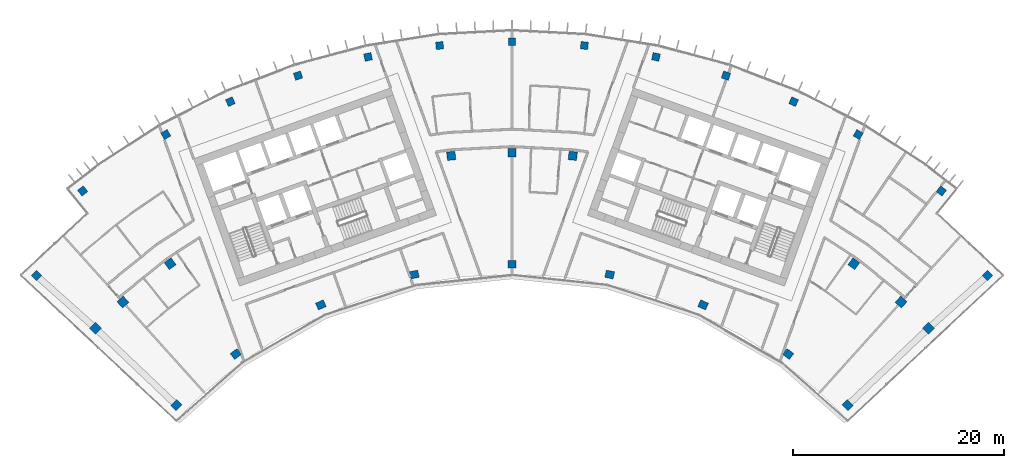
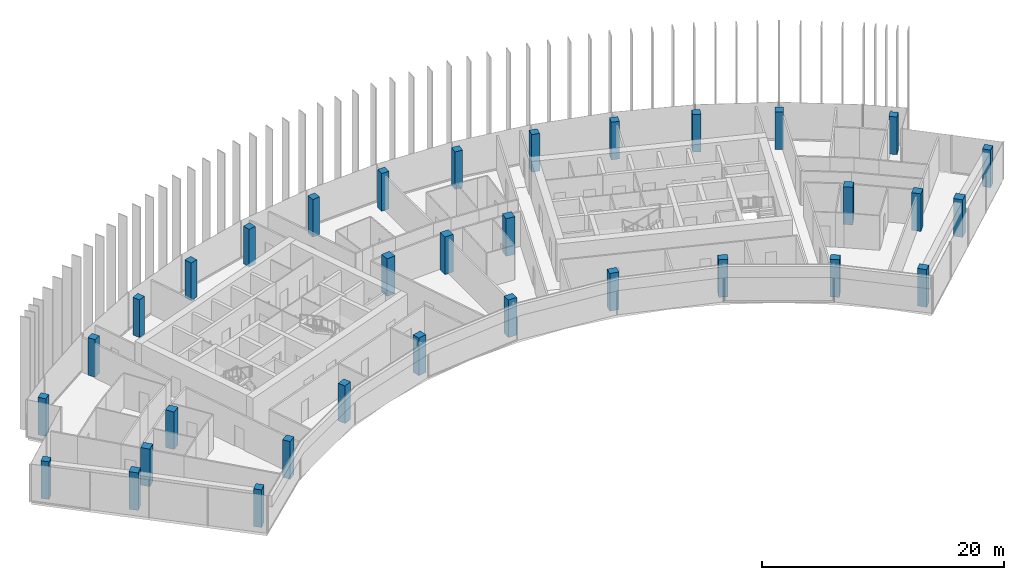
# One storey, part 1 of 19: 33 columns.
"""IFC4 building model written with IfcOpenShell, lengths in metres."""

from ifc_helpers import new_model, si_unit, direction, frame, origin, origin_2d, place, context, subcontext, project, spatial, rectangle, extrude, material, material_profile, profile_set, type_object, element, save


model = new_model("IFC4")

# Units and contexts
model_context = context("Model", 3, precision=1e-05, world=origin(), true_north=direction((0.0, 1.0)))
body_context = subcontext(model_context, "Body", "Model", "MODEL_VIEW")
ifc_project = project(units=[si_unit("LENGTHUNIT", "METRE"), si_unit("AREAUNIT", "SQUARE_METRE"), si_unit("VOLUMEUNIT", "CUBIC_METRE"), si_unit("PLANEANGLEUNIT", "RADIAN"), si_unit("MASSUNIT", "GRAM", prefix="KILO")], contexts=[model_context])

# Site, building, storey
site_placement = place(None, origin())
site = spatial("IfcSite", under=ifc_project, at=site_placement, CompositionType="ELEMENT")
building_placement = place(site_placement, origin())
building = spatial("IfcBuilding", under=site, at=building_placement, Name="Stone Belt Terrace Tower", CompositionType="ELEMENT")
storey_placement = place(building_placement, frame((0.0, 0.0, 280.800048828125)))
storey = spatial("IfcBuildingStorey", under=building, at=storey_placement, Name="L68", CompositionType="ELEMENT", Elevation=280.800048828125)

# Columns
ifc_material = material(Name="Concrete B60", Category="concrete")
ifc_material_profile_1 = material_profile(ifc_material, rectangle(XDim=0.699951171875, YDim=0.699951171875, at=origin_2d()), Name="RC 700x700")
ifc_profile_set_1 = profile_set([ifc_material_profile_1], Name="Concrete B60")
column_type_1 = type_object("IfcColumnType", Name="Column RC 700x700 B60", PredefinedType="COLUMN", material=ifc_profile_set_1)
for number, where, z_axis, x_axis, name in (
    (1, (-44.97705078125, 43.381103515625, 0.0), (0.0, 0.0, 1.0), (0.694221333646, 0.719761585465, 0.0), "Column L68 RA"),
    (2, (44.97705078125, 43.381103515625, 0.0), (0.0, 0.0, 1.0), (0.694221333646, -0.719761585465, 0.0), "Column L68 RB"),
    (3, (-40.605712890625, 51.380615234375, 0.0), (0.0, 0.0, 1.0), (0.784569718703, 0.620040608746, 0.0), "Column L68 RNA"),
    (4, (-32.744384765625, 56.715087890625, 0.0), (0.0, 0.0, 1.0), (0.866025403784, 0.5, 0.0), "Column L68 R17"),
    (5, (-26.63671875, 59.8271484375, 0.0), (0.0, 0.0, 1.0), (0.913545457643, 0.406736643076, 0.0), "Column L68 R18"),
    (6, (-20.2373046875, 62.28369140625, 0.0), (0.0, 0.0, 1.0), (0.951056516295, 0.309016994375, 0.0), "Column L68 R19"),
    (7, (-13.615966796875, 64.057861328125, 0.0), (0.0, 0.0, 1.0), (0.978147600734, 0.207911690818, 0.0), "Column L68 R20"),
    (8, (-6.845458984375, 65.130126953125, 0.0), (0.0, 0.0, 1.0), (0.994521895368, 0.104528463268, 0.0), "Column L68 R21"),
    (9, (0.0, 65.489013671875, 0.0), (0.0, 0.0, 1.0), (1.0, 0.0, 0.0), "Column L68 R22"),
    (10, (6.845458984375, 65.130126953125, 0.0), (0.0, 0.0, 1.0), (0.994521895368, -0.104528463268, 0.0), "Column L68 R23"),
    (11, (13.615966796875, 64.057861328125, 0.0), (0.0, 0.0, 1.0), (0.978147600734, -0.207911690818, 0.0), "Column L68 R24"),
    (12, (20.2373046875, 62.28369140625, 0.0), (0.0, 0.0, 1.0), (0.951056516295, -0.309016994375, 0.0), "Column L68 R25"),
    (13, (26.63671875, 59.8271484375, 0.0), (0.0, 0.0, 1.0), (0.913545457643, -0.406736643076, 0.0), "Column L68 R26"),
    (14, (32.744384765625, 56.715087890625, 0.0), (0.0, 0.0, 1.0), (0.866025403784, -0.5, 0.0), "Column L68 R27"),
    (15, (40.605712890625, 51.380615234375, 0.0), (0.0, 0.0, 1.0), (0.784569718703, -0.620040608746, 0.0), "Column L68 RNB"),
):
    element("IfcColumn", number, at=place(storey_placement, frame(where, z_axis=z_axis, x_axis=x_axis)), inside=storey, type_object=column_type_1, Name=name, PredefinedType="COLUMN", context=body_context, shape_type="SweptSolid", body=[
        extrude(rectangle(XDim=0.699951171875, YDim=0.699951171875, at=origin_2d()), origin(), (0.0, 0.0, 1.0), 3.800048828125),
    ])
ifc_material_profile_2 = material_profile(ifc_material, rectangle(XDim=0.800048828125, YDim=0.699951171875, at=origin_2d()), Name="RC 800x700")
ifc_profile_set_2 = profile_set([ifc_material_profile_2], Name="Concrete B60")
column_type_2 = type_object("IfcColumnType", Name="Column RC 800x700 B60", PredefinedType="COLUMN", material=ifc_profile_set_2)
for number, where, z_axis, x_axis, name in (
    (16, (-31.73486328125, 31.11669921875, 0.0), (0.0, 0.0, 1.0), (0.700119596097, 0.714025595592, 0.0), "Column L68 PA"),
    (17, (-26.1240234375, 35.956787109375, 0.0), (0.0, 0.0, 1.0), (0.809016994375, 0.587785252292, 0.0), "Column L68 P16"),
    (18, (-18.077392578125, 40.6025390625, 0.0), (0.0, 0.0, 1.0), (0.913545457643, 0.406736643076, 0.0), "Column L68 P18"),
    (19, (-9.240478515625, 43.473876953125, 0.0), (0.0, 0.0, 1.0), (0.978147600734, 0.207911690818, 0.0), "Column L68 P20"),
    (20, (0.0, 44.445068359375, 0.0), (0.0, 0.0, 1.0), (1.0, 0.0, 0.0), "Column L68 P22"),
    (21, (9.240478515625, 43.473876953125, 0.0), (0.0, 0.0, 1.0), (0.978147600734, -0.207911690818, 0.0), "Column L68 P24"),
    (22, (18.077392578125, 40.6025390625, 0.0), (0.0, 0.0, 1.0), (0.913545457643, -0.406736643076, 0.0), "Column L68 P26"),
    (23, (26.1240234375, 35.956787109375, 0.0), (0.0, 0.0, 1.0), (0.809016994375, -0.587785252292, 0.0), "Column L68 P28"),
    (24, (31.73486328125, 31.11669921875, 0.0), (0.0, 0.0, 1.0), (0.700119596097, -0.714025595592, 0.0), "Column L68 PB"),
):
    element("IfcColumn", number, at=place(storey_placement, frame(where, z_axis=z_axis, x_axis=x_axis)), inside=storey, type_object=column_type_2, Name=name, PredefinedType="COLUMN", context=body_context, shape_type="SweptSolid", body=[
        extrude(rectangle(XDim=0.800048828125, YDim=0.699951171875, at=origin_2d()), origin(), (0.0, 0.0, 1.0), 3.800048828125),
    ])
ifc_material_profile_3 = material_profile(ifc_material, rectangle(XDim=0.800048828125, YDim=0.800048828125, at=origin_2d()), Name="RC 800x800")
ifc_profile_set_3 = profile_set([ifc_material_profile_3], Name="Concrete B60")
column_type_3 = type_object("IfcColumnType", Name="Column RC 800x800 B60", PredefinedType="COLUMN", material=ifc_profile_set_3)
for number, where, z_axis, x_axis, name in (
    (25, (-39.38818359375, 38.386962890625, 0.0), (0.0, 0.0, 1.0), (0.697944216238, 0.716152128406, 0.0), "Column L68 QA"),
    (26, (-36.80224609375, 40.873046875, 0.0), (0.0, 0.0, 1.0), (0.743144825477, 0.669130606359, 0.0), "Column L68 Q15"),
    (27, (-32.328125, 44.495849609375, 0.0), (0.0, 0.0, 1.0), (0.809016994375, 0.587785252292, 0.0), "Column L68 Q16"),
    (28, (-5.7490234375, 54.69873046875, 0.0), (0.0, 0.0, 1.0), (0.994521895368, 0.104528463268, 0.0), "Column L68 Q21"),
    (29, (0.0, 55.0, 0.0), (0.0, 0.0, 1.0), (1.0, 0.0, 0.0), "Column L68 Q22"),
    (30, (5.7490234375, 54.69873046875, 0.0), (0.0, 0.0, 1.0), (0.994521895368, -0.104528463268, 0.0), "Column L68 Q23"),
    (31, (32.328125, 44.495849609375, 0.0), (0.0, 0.0, 1.0), (0.809016994375, -0.587785252292, 0.0), "Column L68 Q28"),
    (32, (36.80224609375, 40.873046875, 0.0), (0.0, 0.0, 1.0), (0.743144825477, -0.669130606359, 0.0), "Column L68 Q29"),
    (33, (39.38818359375, 38.386962890625, 0.0), (0.0, 0.0, 1.0), (0.697944216238, -0.716152128406, 0.0), "Column L68 QB"),
):
    element("IfcColumn", number, at=place(storey_placement, frame(where, z_axis=z_axis, x_axis=x_axis)), inside=storey, type_object=column_type_3, Name=name, PredefinedType="COLUMN", context=body_context, shape_type="SweptSolid", body=[
        extrude(rectangle(XDim=0.800048828125, YDim=0.800048828125, at=origin_2d()), origin(), (0.0, 0.0, 1.0), 3.800048828125),
    ])

save(model, "model.ifc")
